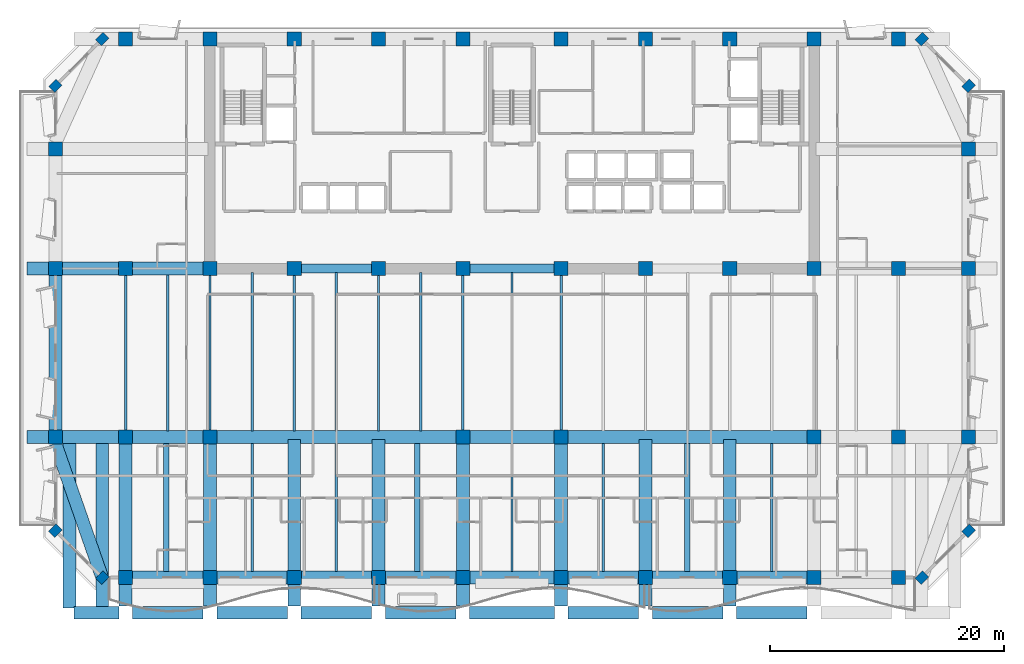
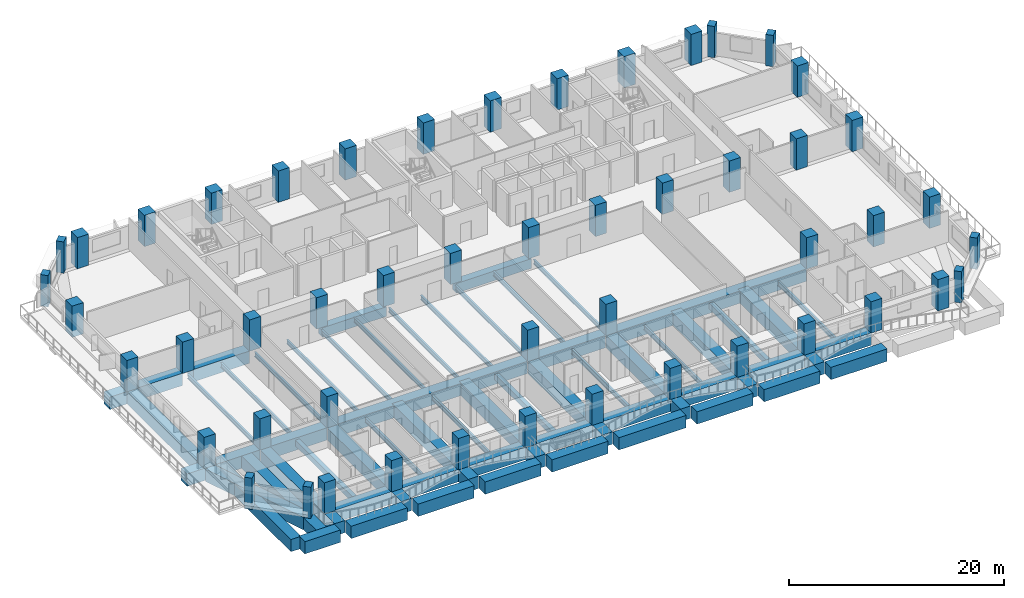
# One storey, part 1 of 16: 57 beams, 50 columns.
"""IFC4 building model written with IfcOpenShell, lengths in metres."""

from ifc_helpers import new_model, si_unit, direction, frame, origin, origin_2d, place, context, subcontext, project, spatial, rectangle, i_section, extrude, material, material_profile, profile_set, type_object, element, save


model = new_model("IFC4")

# Units and contexts
model_context = context("Model", 3, precision=1e-05, world=origin(), true_north=direction((0.0, 1.0)))
body_context = subcontext(model_context, "Body", "Model", "MODEL_VIEW")
ifc_project = project(units=[si_unit("LENGTHUNIT", "METRE"), si_unit("AREAUNIT", "SQUARE_METRE"), si_unit("VOLUMEUNIT", "CUBIC_METRE"), si_unit("PLANEANGLEUNIT", "RADIAN"), si_unit("MASSUNIT", "GRAM", prefix="KILO")], contexts=[model_context])

# Site, building, storey
site_placement = place(None, origin())
site = spatial("IfcSite", under=ifc_project, at=site_placement, CompositionType="ELEMENT")
building_placement = place(site_placement, origin())
building = spatial("IfcBuilding", under=site, at=building_placement, Name="Kaelvorn Grand Hotel", CompositionType="ELEMENT")
storey_placement = place(building_placement, frame((0.0, 0.0, 135.35009765625)))
storey = spatial("IfcBuildingStorey", under=building, at=storey_placement, Name="L32", CompositionType="ELEMENT", Elevation=135.35009765625)

# Columns
ifc_material_1 = material(Name="Concrete C60/75", Category="concrete")
ifc_material_profile_1 = material_profile(ifc_material_1, rectangle(XDim=0.89990234375, YDim=0.75, at=origin_2d()), Name="RC PILASTER 900x750")
ifc_profile_set_1 = profile_set([ifc_material_profile_1], Name="Concrete C60/75")
column_type_1 = type_object("IfcColumnType", Name="COL-PIL-900x750-C60", PredefinedType="PILASTER", material=ifc_profile_set_1)
for number, where, z_axis, x_axis, name in (
    (1, (7.0, 3.0, 0.0), (0.0, 0.0, 1.0), (0.707106781187, 0.707106781187, 0.0), "L32 Structural Column CH-01"),
    (2, (77.0, 3.0, 0.0), (0.0, 0.0, 1.0), (0.707106781187, 0.707106781187, 0.0), "L32 Structural Column CH-02"),
    (3, (81.0, 7.0, 0.0), (0.0, 0.0, 1.0), (0.707106781187, 0.707106781187, 0.0), "L32 Structural Column CH-03"),
    (4, (81.0, 45.0, 0.0), (0.0, 0.0, 1.0), (0.707106781187, 0.707106781187, 0.0), "L32 Structural Column CH-04"),
    (5, (77.0, 49.0, 0.0), (0.0, 0.0, 1.0), (0.707106781187, 0.707106781187, 0.0), "L32 Structural Column CH-05"),
    (6, (7.0, 49.0, 0.0), (0.0, 0.0, 1.0), (0.707106781187, 0.707106781187, 0.0), "L32 Structural Column CH-06"),
    (7, (3.0, 45.0, 0.0), (0.0, 0.0, 1.0), (0.707106781187, 0.707106781187, 0.0), "L32 Structural Column CH-07"),
    (8, (3.0, 7.0, 0.0), (0.0, 0.0, 1.0), (0.707106781187, 0.707106781187, 0.0), "L32 Structural Column CH-08"),
):
    element("IfcColumn", number, at=place(storey_placement, frame(where, z_axis=z_axis, x_axis=x_axis)), inside=storey, type_object=column_type_1, Name=name, PredefinedType="PILASTER", context=body_context, shape_type="SweptSolid", body=[
        extrude(rectangle(XDim=0.89990234375, YDim=0.75, at=origin_2d()), origin(), (0.0, 0.0, 1.0), 3.559814453125),
    ])
ifc_material_profile_2 = material_profile(ifc_material_1, rectangle(XDim=1.199951171875, YDim=1.199951171875, at=origin_2d()), Name="RC COL 1200x1200")
ifc_profile_set_2 = profile_set([ifc_material_profile_2], Name="Concrete C60/75")
column_type_2 = type_object("IfcColumnType", Name="COL-RC-1200-C60", PredefinedType="COLUMN", material=ifc_profile_set_2)
for number, where, z_axis, x_axis, name in (
    (9, (9.0, 3.0, 0.0), (0.0, 0.0, 1.0), (1.0, 0.0, 0.0), "L32 Structural Column S-01"),
    (10, (16.199951171875, 3.0, 0.0), (0.0, 0.0, 1.0), (1.0, 0.0, 0.0), "L32 Structural Column S-02"),
    (11, (23.39990234375, 3.0, 0.0), (0.0, 0.0, 1.0), (1.0, 0.0, 0.0), "L32 Structural Column S-03"),
    (12, (30.60009765625, 3.0, 0.0), (0.0, 0.0, 1.0), (1.0, 0.0, 0.0), "L32 Structural Column S-04"),
    (13, (37.800048828125, 3.0, 0.0), (0.0, 0.0, 1.0), (1.0, 0.0, 0.0), "L32 Structural Column S-05"),
    (14, (46.199951171875, 3.0, 0.0), (0.0, 0.0, 1.0), (1.0, 0.0, 0.0), "L32 Structural Column S-06"),
    (15, (53.39990234375, 3.0, 0.0), (0.0, 0.0, 1.0), (1.0, 0.0, 0.0), "L32 Structural Column S-07"),
    (16, (60.60009765625, 3.0, 0.0), (0.0, 0.0, 1.0), (1.0, 0.0, 0.0), "L32 Structural Column S-08"),
    (17, (67.800048828125, 3.0, 0.0), (0.0, 0.0, 1.0), (1.0, 0.0, 0.0), "L32 Structural Column S-09"),
    (18, (75.0, 3.0, 0.0), (0.0, 0.0, 1.0), (1.0, 0.0, 0.0), "L32 Structural Column S-10"),
    (19, (3.0, 15.0, 0.0), (0.0, 0.0, 1.0), (1.0, 0.0, 0.0), "L32 Structural Column W-01"),
    (20, (81.0, 15.0, 0.0), (0.0, 0.0, 1.0), (1.0, 0.0, 0.0), "L32 Structural Column E-01"),
    (21, (3.0, 29.39990234375, 0.0), (0.0, 0.0, 1.0), (1.0, 0.0, 0.0), "L32 Structural Column W-02"),
    (22, (81.0, 29.39990234375, 0.0), (0.0, 0.0, 1.0), (1.0, 0.0, 0.0), "L32 Structural Column E-02"),
    (23, (3.0, 39.60009765625, 0.0), (0.0, 0.0, 1.0), (1.0, 0.0, 0.0), "L32 Structural Column W-03"),
    (24, (81.0, 39.60009765625, 0.0), (0.0, 0.0, 1.0), (1.0, 0.0, 0.0), "L32 Structural Column E-03"),
    (25, (9.0, 15.0, 0.0), (0.0, 0.0, 1.0), (1.0, 0.0, 0.0), "L32 Structural Column M-01"),
    (26, (16.199951171875, 15.0, 0.0), (0.0, 0.0, 1.0), (1.0, 0.0, 0.0), "L32 Structural Column M-02"),
    (27, (37.800048828125, 15.0, 0.0), (0.0, 0.0, 1.0), (1.0, 0.0, 0.0), "L32 Structural Column M-03"),
    (28, (46.199951171875, 15.0, 0.0), (0.0, 0.0, 1.0), (1.0, 0.0, 0.0), "L32 Structural Column M-04"),
    (29, (67.800048828125, 15.0, 0.0), (0.0, 0.0, 1.0), (1.0, 0.0, 0.0), "L32 Structural Column M-05"),
    (30, (75.0, 15.0, 0.0), (0.0, 0.0, 1.0), (1.0, 0.0, 0.0), "L32 Structural Column M-06"),
    (31, (9.0, 29.39990234375, 0.0), (0.0, 0.0, 1.0), (1.0, 0.0, 0.0), "L32 Structural Column CR1-01"),
    (32, (9.0, 49.0, 0.0), (0.0, 0.0, 1.0), (1.0, 0.0, 0.0), "L32 Structural Column CR2-01"),
    (33, (16.199951171875, 29.39990234375, 0.0), (0.0, 0.0, 1.0), (1.0, 0.0, 0.0), "L32 Structural Column CR1-02"),
    (34, (16.199951171875, 49.0, 0.0), (0.0, 0.0, 1.0), (1.0, 0.0, 0.0), "L32 Structural Column CR2-02"),
    (35, (23.39990234375, 29.39990234375, 0.0), (0.0, 0.0, 1.0), (1.0, 0.0, 0.0), "L32 Structural Column CR1-03"),
    (36, (23.39990234375, 49.0, 0.0), (0.0, 0.0, 1.0), (1.0, 0.0, 0.0), "L32 Structural Column CR2-03"),
    (37, (30.60009765625, 29.39990234375, 0.0), (0.0, 0.0, 1.0), (1.0, 0.0, 0.0), "L32 Structural Column CR1-04"),
    (38, (30.60009765625, 49.0, 0.0), (0.0, 0.0, 1.0), (1.0, 0.0, 0.0), "L32 Structural Column CR2-04"),
    (39, (37.800048828125, 29.39990234375, 0.0), (0.0, 0.0, 1.0), (1.0, 0.0, 0.0), "L32 Structural Column CR1-05"),
    (40, (37.800048828125, 49.0, 0.0), (0.0, 0.0, 1.0), (1.0, 0.0, 0.0), "L32 Structural Column CR2-05"),
    (41, (46.199951171875, 29.39990234375, 0.0), (0.0, 0.0, 1.0), (1.0, 0.0, 0.0), "L32 Structural Column CR1-06"),
    (42, (46.199951171875, 49.0, 0.0), (0.0, 0.0, 1.0), (1.0, 0.0, 0.0), "L32 Structural Column CR2-06"),
    (43, (53.39990234375, 29.39990234375, 0.0), (0.0, 0.0, 1.0), (1.0, 0.0, 0.0), "L32 Structural Column CR1-07"),
    (44, (53.39990234375, 49.0, 0.0), (0.0, 0.0, 1.0), (1.0, 0.0, 0.0), "L32 Structural Column CR2-07"),
    (45, (60.60009765625, 29.39990234375, 0.0), (0.0, 0.0, 1.0), (1.0, 0.0, 0.0), "L32 Structural Column CR1-08"),
    (46, (60.60009765625, 49.0, 0.0), (0.0, 0.0, 1.0), (1.0, 0.0, 0.0), "L32 Structural Column CR2-08"),
    (47, (67.800048828125, 29.39990234375, 0.0), (0.0, 0.0, 1.0), (1.0, 0.0, 0.0), "L32 Structural Column CR1-09"),
    (48, (67.800048828125, 49.0, 0.0), (0.0, 0.0, 1.0), (1.0, 0.0, 0.0), "L32 Structural Column CR2-09"),
    (49, (75.0, 29.39990234375, 0.0), (0.0, 0.0, 1.0), (1.0, 0.0, 0.0), "L32 Structural Column CR1-10"),
    (50, (75.0, 49.0, 0.0), (0.0, 0.0, 1.0), (1.0, 0.0, 0.0), "L32 Structural Column CR2-10"),
):
    element("IfcColumn", number, at=place(storey_placement, frame(where, z_axis=z_axis, x_axis=x_axis)), inside=storey, type_object=column_type_2, Name=name, PredefinedType="COLUMN", context=body_context, shape_type="SweptSolid", body=[
        extrude(rectangle(XDim=1.199951171875, YDim=1.199951171875, at=origin_2d()), origin(), (0.0, 0.0, 1.0), 3.559814453125),
    ])

# Beams
ifc_material_2 = material(Name="Steel S355", Category="steel")
ifc_material_profile_3 = material_profile(ifc_material_2, i_section(OverallWidth=0.199951171875, OverallDepth=0.5, WebThickness=0.01025390625, FlangeThickness=0.01611328125, FilletRadius=0.02099609375, at=origin_2d()), Name="IPE 500")
ifc_profile_set_3 = profile_set([ifc_material_profile_3], Name="Steel S355")
beam_type_1 = type_object("IfcBeamType", Name="BM-J-IPE500-S355", PredefinedType="JOIST", material=ifc_profile_set_3)
beam_1_placement = place(storey_placement, frame((9.0, 15.5849609375, -0.489990234375), z_axis=(0.0, 1.0, 0.0), x_axis=(-1.0, 0.0, 0.0)))
element("IfcBeam", 51, at=beam_1_placement, inside=storey, type_object=beam_type_1, Name="L32 Composite Floor Joist JM-03", PredefinedType="JOIST", context=body_context, shape_type="SweptSolid", body=[
    extrude(i_section(OverallWidth=0.199951171875, OverallDepth=0.5, WebThickness=0.01025390625, FlangeThickness=0.01611328125, FilletRadius=0.02099609375, at=origin_2d()), origin(), (0.0, 0.0, 1.0), 13.22998046875),
])
beam_2_placement = place(storey_placement, frame((12.60009765625, 15.534912109375, -0.489990234375), z_axis=(0.0, 1.0, 0.0), x_axis=(-1.0, 0.0, 0.0)))
element("IfcBeam", 52, at=beam_2_placement, inside=storey, type_object=beam_type_1, Name="L32 Composite Floor Joist JM-04", PredefinedType="JOIST", context=body_context, shape_type="SweptSolid", body=[
    extrude(i_section(OverallWidth=0.199951171875, OverallDepth=0.5, WebThickness=0.01025390625, FlangeThickness=0.01611328125, FilletRadius=0.02099609375, at=origin_2d()), origin(), (0.0, 0.0, 1.0), 13.330078125),
])
beam_3_placement = place(storey_placement, frame((16.199951171875, 15.5849609375, -0.489990234375), z_axis=(0.0, 1.0, 0.0), x_axis=(-1.0, 0.0, 0.0)))
element("IfcBeam", 53, at=beam_3_placement, inside=storey, type_object=beam_type_1, Name="L32 Composite Floor Joist JM-05", PredefinedType="JOIST", context=body_context, shape_type="SweptSolid", body=[
    extrude(i_section(OverallWidth=0.199951171875, OverallDepth=0.5, WebThickness=0.01025390625, FlangeThickness=0.01611328125, FilletRadius=0.02099609375, at=origin_2d()), origin(), (0.0, 0.0, 1.0), 13.22998046875),
])
beam_4_placement = place(storey_placement, frame((19.800048828125, 15.534912109375, -0.489990234375), z_axis=(0.0, 1.0, 0.0), x_axis=(-1.0, 0.0, 0.0)))
element("IfcBeam", 54, at=beam_4_placement, inside=storey, type_object=beam_type_1, Name="L32 Composite Floor Joist JM-06", PredefinedType="JOIST", context=body_context, shape_type="SweptSolid", body=[
    extrude(i_section(OverallWidth=0.199951171875, OverallDepth=0.5, WebThickness=0.01025390625, FlangeThickness=0.01611328125, FilletRadius=0.02099609375, at=origin_2d()), origin(), (0.0, 0.0, 1.0), 13.525146484375),
])
beam_5_placement = place(storey_placement, frame((23.39990234375, 15.534912109375, -0.489990234375), z_axis=(0.0, 1.0, 0.0), x_axis=(-1.0, 0.0, 0.0)))
element("IfcBeam", 55, at=beam_5_placement, inside=storey, type_object=beam_type_1, Name="L32 Composite Floor Joist JM-07", PredefinedType="JOIST", context=body_context, shape_type="SweptSolid", body=[
    extrude(i_section(OverallWidth=0.199951171875, OverallDepth=0.5, WebThickness=0.01025390625, FlangeThickness=0.01611328125, FilletRadius=0.02099609375, at=origin_2d()), origin(), (0.0, 0.0, 1.0), 13.280029296875),
])
beam_6_placement = place(storey_placement, frame((27.0, 15.534912109375, -0.489990234375), z_axis=(0.0, 1.0, 0.0), x_axis=(-1.0, 0.0, 0.0)))
element("IfcBeam", 56, at=beam_6_placement, inside=storey, type_object=beam_type_1, Name="L32 Composite Floor Joist JM-08", PredefinedType="JOIST", context=body_context, shape_type="SweptSolid", body=[
    extrude(i_section(OverallWidth=0.199951171875, OverallDepth=0.5, WebThickness=0.01025390625, FlangeThickness=0.01611328125, FilletRadius=0.02099609375, at=origin_2d()), origin(), (0.0, 0.0, 1.0), 13.525146484375),
])
beam_7_placement = place(storey_placement, frame((30.60009765625, 15.534912109375, -0.489990234375), z_axis=(0.0, 1.0, 0.0), x_axis=(-1.0, 0.0, 0.0)))
element("IfcBeam", 57, at=beam_7_placement, inside=storey, type_object=beam_type_1, Name="L32 Composite Floor Joist JM-09", PredefinedType="JOIST", context=body_context, shape_type="SweptSolid", body=[
    extrude(i_section(OverallWidth=0.199951171875, OverallDepth=0.5, WebThickness=0.01025390625, FlangeThickness=0.01611328125, FilletRadius=0.02099609375, at=origin_2d()), origin(), (0.0, 0.0, 1.0), 13.280029296875),
])
beam_8_placement = place(storey_placement, frame((34.199951171875, 15.534912109375, -0.489990234375), z_axis=(0.0, 1.0, 0.0), x_axis=(-1.0, 0.0, 0.0)))
element("IfcBeam", 58, at=beam_8_placement, inside=storey, type_object=beam_type_1, Name="L32 Composite Floor Joist JM-10", PredefinedType="JOIST", context=body_context, shape_type="SweptSolid", body=[
    extrude(i_section(OverallWidth=0.199951171875, OverallDepth=0.5, WebThickness=0.01025390625, FlangeThickness=0.01611328125, FilletRadius=0.02099609375, at=origin_2d()), origin(), (0.0, 0.0, 1.0), 13.525146484375),
])
beam_9_placement = place(storey_placement, frame((37.800048828125, 15.5849609375, -0.489990234375), z_axis=(0.0, 1.0, 0.0), x_axis=(-1.0, 0.0, 0.0)))
element("IfcBeam", 59, at=beam_9_placement, inside=storey, type_object=beam_type_1, Name="L32 Composite Floor Joist JM-11", PredefinedType="JOIST", context=body_context, shape_type="SweptSolid", body=[
    extrude(i_section(OverallWidth=0.199951171875, OverallDepth=0.5, WebThickness=0.01025390625, FlangeThickness=0.01611328125, FilletRadius=0.02099609375, at=origin_2d()), origin(), (0.0, 0.0, 1.0), 13.22998046875),
])
beam_10_placement = place(storey_placement, frame((42.0, 15.534912109375, -0.489990234375), z_axis=(0.0, 1.0, 0.0), x_axis=(-1.0, 0.0, 0.0)))
element("IfcBeam", 60, at=beam_10_placement, inside=storey, type_object=beam_type_1, Name="L32 Composite Floor Joist JM-12", PredefinedType="JOIST", context=body_context, shape_type="SweptSolid", body=[
    extrude(i_section(OverallWidth=0.199951171875, OverallDepth=0.5, WebThickness=0.01025390625, FlangeThickness=0.01611328125, FilletRadius=0.02099609375, at=origin_2d()), origin(), (0.0, 0.0, 1.0), 13.525146484375),
])
beam_11_placement = place(storey_placement, frame((46.199951171875, 15.5849609375, -0.489990234375), z_axis=(0.0, 1.0, 0.0), x_axis=(-1.0, 0.0, 0.0)))
element("IfcBeam", 61, at=beam_11_placement, inside=storey, type_object=beam_type_1, Name="L32 Composite Floor Joist JM-13", PredefinedType="JOIST", context=body_context, shape_type="SweptSolid", body=[
    extrude(i_section(OverallWidth=0.199951171875, OverallDepth=0.5, WebThickness=0.01025390625, FlangeThickness=0.01611328125, FilletRadius=0.02099609375, at=origin_2d()), origin(), (0.0, 0.0, 1.0), 13.22998046875),
])
ifc_material_profile_4 = material_profile(ifc_material_2, i_section(OverallWidth=0.2099609375, OverallDepth=0.550048828125, WebThickness=0.010986328125, FlangeThickness=0.01708984375, FilletRadius=0.02392578125, at=origin_2d()), Name="IPE 550")
ifc_profile_set_4 = profile_set([ifc_material_profile_4], Name="Steel S355")
beam_type_2 = type_object("IfcBeamType", Name="BM-J-IPE550-S355", PredefinedType="JOIST", material=ifc_profile_set_4)
for number, where, z_axis, x_axis, name in (
    (62, (19.800048828125, 3.534912109375, -0.51513671875), (0.0, 1.0, 0.0), (-1.0, 0.0, 0.0), "L32 Composite Floor Joist JS-06"),
    (63, (27.0, 3.534912109375, -0.51513671875), (0.0, 1.0, 0.0), (-1.0, 0.0, 0.0), "L32 Composite Floor Joist JS-08"),
    (64, (42.0, 3.534912109375, -0.51513671875), (0.0, 1.0, 0.0), (-1.0, 0.0, 0.0), "L32 Composite Floor Joist JS-12"),
    (65, (49.800048828125, 3.534912109375, -0.51513671875), (0.0, 1.0, 0.0), (-1.0, 0.0, 0.0), "L32 Composite Floor Joist JS-14"),
    (66, (64.199951171875, 3.534912109375, -0.51513671875), (0.0, 1.0, 0.0), (-1.0, 0.0, 0.0), "L32 Composite Floor Joist JS-18"),
):
    element("IfcBeam", number, at=place(storey_placement, frame(where, z_axis=z_axis, x_axis=x_axis)), inside=storey, type_object=beam_type_2, Name=name, PredefinedType="JOIST", context=body_context, shape_type="SweptSolid", body=[
        extrude(i_section(OverallWidth=0.2099609375, OverallDepth=0.550048828125, WebThickness=0.010986328125, FlangeThickness=0.01708984375, FilletRadius=0.02392578125, at=origin_2d()), origin(), (0.0, 0.0, 1.0), 10.93017578125),
    ])
ifc_material_profile_5 = material_profile(ifc_material_1, rectangle(XDim=0.800048828125, YDim=1.10009765625, at=origin_2d()), Name="RC LINTEL 800x1100")
ifc_profile_set_5 = profile_set([ifc_material_profile_5], Name="Concrete C60/75")
beam_type_3 = type_object("IfcBeamType", Name="BM-LIN-800x1100-C60", PredefinedType="LINTEL", material=ifc_profile_set_5)
beam_12_placement = place(storey_placement, frame((23.580078125, 29.39990234375, -0.7900390625), z_axis=(1.0, 0.0, 0.0), x_axis=(0.0, 1.0, 0.0)))
element("IfcBeam", 67, at=beam_12_placement, inside=storey, type_object=beam_type_3, Name="L32 Rear-Core Coupling Lintel Beam CB1-01", PredefinedType="LINTEL", context=body_context, shape_type="SweptSolid", body=[
    extrude(rectangle(XDim=0.800048828125, YDim=1.10009765625, at=origin_2d()), origin(), (0.0, 0.0, 1.0), 6.83984375),
])
beam_13_placement = place(storey_placement, frame((37.97998046875, 29.39990234375, -0.7900390625), z_axis=(1.0, 0.0, 0.0), x_axis=(0.0, 1.0, 0.0)))
element("IfcBeam", 68, at=beam_13_placement, inside=storey, type_object=beam_type_3, Name="L32 Rear-Core Coupling Lintel Beam CB1-02", PredefinedType="LINTEL", context=body_context, shape_type="SweptSolid", body=[
    extrude(rectangle(XDim=0.800048828125, YDim=1.10009765625, at=origin_2d()), origin(), (0.0, 0.0, 1.0), 8.0400390625),
])
ifc_material_3 = material(Name="Concrete C40/50", Category="concrete")
ifc_material_profile_6 = material_profile(ifc_material_3, rectangle(XDim=0.449951171875, YDim=0.64990234375, at=origin_2d()), Name="RC RIB 450x650")
ifc_profile_set_6 = profile_set([ifc_material_profile_6], Name="Concrete C40/50")
beam_type_4 = type_object("IfcBeamType", Name="BM-RIB-450x650-C40", PredefinedType="SPANDREL", material=ifc_profile_set_6)
for number, where, z_axis, x_axis, name in (
    (69, (12.45703125, 3.534912109375, -0.545166015625), (0.0, 1.0, 0.0), (-1.0, 0.0, 0.0), "L32 Cantilevered Balcony Back-Span Rib RB1-1"),
    (70, (33.90478515625, 3.534912109375, -0.545166015625), (0.0, 1.0, 0.0), (-1.0, 0.0, 0.0), "L32 Cantilevered Balcony Back-Span Rib RB1-2"),
    (71, (56.971435546875, 3.534912109375, -0.545166015625), (0.0, 1.0, 0.0), (-1.0, 0.0, 0.0), "L32 Cantilevered Balcony Back-Span Rib RB1-3"),
):
    element("IfcBeam", number, at=place(storey_placement, frame(where, z_axis=z_axis, x_axis=x_axis)), inside=storey, type_object=beam_type_4, Name=name, PredefinedType="SPANDREL", context=body_context, shape_type="SweptSolid", body=[
        extrude(rectangle(XDim=0.449951171875, YDim=0.64990234375, at=origin_2d()), origin(), (0.0, 0.0, 1.0), 10.925048828125),
    ])
ifc_material_profile_7 = material_profile(ifc_material_1, rectangle(XDim=1.10009765625, YDim=1.39990234375, at=origin_2d()), Name="RC TG 1100x1400")
ifc_profile_set_7 = profile_set([ifc_material_profile_7], Name="Concrete C60/75")
beam_type_5 = type_object("IfcBeamType", Name="BM-TG-1100x1400-C60", PredefinedType="USERDEFINED", material=ifc_profile_set_7)
beam_14_placement = place(storey_placement, frame((0.5849609375, 15.0, -0.7001953125), z_axis=(1.0, 0.0, 0.0), x_axis=(0.0, 1.0, 0.0)))
element("IfcBeam", 72, at=beam_14_placement, inside=storey, type_object=beam_type_5, Name="L32 Setback Spine Transfer Girder TG2-M15 01", ObjectType="TRANSFER GIRDER", PredefinedType="USERDEFINED", context=body_context, shape_type="SweptSolid", body=[
    extrude(rectangle(XDim=1.10009765625, YDim=1.39990234375, at=origin_2d()), origin(), (0.0, 0.0, 1.0), 7.830078125),
])
beam_15_placement = place(storey_placement, frame((9.5849609375, 15.0, -0.7001953125), z_axis=(1.0, 0.0, 0.0), x_axis=(0.0, 1.0, 0.0)))
element("IfcBeam", 73, at=beam_15_placement, inside=storey, type_object=beam_type_5, Name="L32 Setback Spine Transfer Girder TG2-M15 02", ObjectType="TRANSFER GIRDER", PredefinedType="USERDEFINED", context=body_context, shape_type="SweptSolid", body=[
    extrude(rectangle(XDim=1.10009765625, YDim=1.39990234375, at=origin_2d()), origin(), (0.0, 0.0, 1.0), 6.030029296875),
])
beam_16_placement = place(storey_placement, frame((16.784912109375, 15.0, -0.7001953125), z_axis=(1.0, 0.0, 0.0), x_axis=(0.0, 1.0, 0.0)))
element("IfcBeam", 74, at=beam_16_placement, inside=storey, type_object=beam_type_5, Name="L32 Setback Spine Transfer Girder TG2-M15 03", ObjectType="TRANSFER GIRDER", PredefinedType="USERDEFINED", context=body_context, shape_type="SweptSolid", body=[
    extrude(rectangle(XDim=1.10009765625, YDim=1.39990234375, at=origin_2d()), origin(), (0.0, 0.0, 1.0), 20.43017578125),
])
beam_17_placement = place(storey_placement, frame((38.385009765625, 15.0, -0.7001953125), z_axis=(1.0, 0.0, 0.0), x_axis=(0.0, 1.0, 0.0)))
element("IfcBeam", 75, at=beam_17_placement, inside=storey, type_object=beam_type_5, Name="L32 Setback Spine Transfer Girder TG2-M15 04", ObjectType="TRANSFER GIRDER", PredefinedType="USERDEFINED", context=body_context, shape_type="SweptSolid", body=[
    extrude(rectangle(XDim=1.10009765625, YDim=1.39990234375, at=origin_2d()), origin(), (0.0, 0.0, 1.0), 7.22998046875),
])
beam_18_placement = place(storey_placement, frame((46.784912109375, 15.0, -0.7001953125), z_axis=(1.0, 0.0, 0.0), x_axis=(0.0, 1.0, 0.0)))
element("IfcBeam", 76, at=beam_18_placement, inside=storey, type_object=beam_type_5, Name="L32 Setback Spine Transfer Girder TG2-M15 05", ObjectType="TRANSFER GIRDER", PredefinedType="USERDEFINED", context=body_context, shape_type="SweptSolid", body=[
    extrude(rectangle(XDim=1.10009765625, YDim=1.39990234375, at=origin_2d()), origin(), (0.0, 0.0, 1.0), 20.43017578125),
])
beam_19_placement = place(storey_placement, frame((4.199951171875, 0.405029296875, -0.7001953125), z_axis=(0.0, 1.0, 0.0), x_axis=(-1.0, 0.0, 0.0)))
element("IfcBeam", 77, at=beam_19_placement, inside=storey, type_object=beam_type_5, Name="L32 Setback Radial Transfer Girder TG2-S01 01", ObjectType="TRANSFER GIRDER", PredefinedType="USERDEFINED", context=body_context, shape_type="SweptSolid", body=[
    extrude(rectangle(XDim=1.10009765625, YDim=1.39990234375, at=origin_2d()), origin(), (0.0, 0.0, 1.0), 14.409912109375),
])
for number, where, z_axis, x_axis, name in (
    (78, (9.0, 0.5849609375, -0.7001953125), (0.0, 1.0, 0.0), (-1.0, 0.0, 0.0), "L32 Setback Radial Transfer Girder TG2-S02 01"),
    (79, (16.199951171875, 0.5849609375, -0.7001953125), (0.0, 1.0, 0.0), (-1.0, 0.0, 0.0), "L32 Setback Radial Transfer Girder TG2-S03 01"),
):
    element("IfcBeam", number, at=place(storey_placement, frame(where, z_axis=z_axis, x_axis=x_axis)), inside=storey, type_object=beam_type_5, Name=name, ObjectType="TRANSFER GIRDER", PredefinedType="USERDEFINED", context=body_context, shape_type="SweptSolid", body=[
        extrude(rectangle(XDim=1.10009765625, YDim=1.39990234375, at=origin_2d()), origin(), (0.0, 0.0, 1.0), 13.830078125),
    ])
for number, where, z_axis, x_axis, name in (
    (80, (23.39990234375, 0.5849609375, -0.7001953125), (0.0, 1.0, 0.0), (-1.0, 0.0, 0.0), "L32 Setback Radial Transfer Girder TG2-S04 01"),
    (81, (30.60009765625, 0.5849609375, -0.7001953125), (0.0, 1.0, 0.0), (-1.0, 0.0, 0.0), "L32 Setback Radial Transfer Girder TG2-S05 01"),
):
    element("IfcBeam", number, at=place(storey_placement, frame(where, z_axis=z_axis, x_axis=x_axis)), inside=storey, type_object=beam_type_5, Name=name, ObjectType="TRANSFER GIRDER", PredefinedType="USERDEFINED", context=body_context, shape_type="SweptSolid", body=[
        extrude(rectangle(XDim=1.10009765625, YDim=1.39990234375, at=origin_2d()), origin(), (0.0, 0.0, 1.0), 14.22998046875),
    ])
for number, where, z_axis, x_axis, name in (
    (82, (37.800048828125, 0.5849609375, -0.7001953125), (0.0, 1.0, 0.0), (-1.0, 0.0, 0.0), "L32 Setback Radial Transfer Girder TG2-S06 01"),
    (83, (46.199951171875, 0.5849609375, -0.7001953125), (0.0, 1.0, 0.0), (-1.0, 0.0, 0.0), "L32 Setback Radial Transfer Girder TG2-S07 01"),
):
    element("IfcBeam", number, at=place(storey_placement, frame(where, z_axis=z_axis, x_axis=x_axis)), inside=storey, type_object=beam_type_5, Name=name, ObjectType="TRANSFER GIRDER", PredefinedType="USERDEFINED", context=body_context, shape_type="SweptSolid", body=[
        extrude(rectangle(XDim=1.10009765625, YDim=1.39990234375, at=origin_2d()), origin(), (0.0, 0.0, 1.0), 13.830078125),
    ])
for number, where, z_axis, x_axis, name in (
    (84, (53.39990234375, 0.5849609375, -0.7001953125), (0.0, 1.0, 0.0), (-1.0, 0.0, 0.0), "L32 Setback Radial Transfer Girder TG2-S08 01"),
    (85, (60.60009765625, 0.5849609375, -0.7001953125), (0.0, 1.0, 0.0), (-1.0, 0.0, 0.0), "L32 Setback Radial Transfer Girder TG2-S09 01"),
):
    element("IfcBeam", number, at=place(storey_placement, frame(where, z_axis=z_axis, x_axis=x_axis)), inside=storey, type_object=beam_type_5, Name=name, ObjectType="TRANSFER GIRDER", PredefinedType="USERDEFINED", context=body_context, shape_type="SweptSolid", body=[
        extrude(rectangle(XDim=1.10009765625, YDim=1.39990234375, at=origin_2d()), origin(), (0.0, 0.0, 1.0), 14.22998046875),
    ])
beam_20_placement = place(storey_placement, frame((0.5849609375, 29.39990234375, -0.7001953125), z_axis=(1.0, 0.0, 0.0), x_axis=(0.0, 1.0, 0.0)))
element("IfcBeam", 86, at=beam_20_placement, inside=storey, type_object=beam_type_5, Name="L32 Setback Radial Transfer Girder TG2-W01 01", ObjectType="TRANSFER GIRDER", PredefinedType="USERDEFINED", context=body_context, shape_type="SweptSolid", body=[
    extrude(rectangle(XDim=1.10009765625, YDim=1.39990234375, at=origin_2d()), origin(), (0.0, 0.0, 1.0), 7.830078125),
])
beam_21_placement = place(storey_placement, frame((9.5849609375, 29.39990234375, -0.7001953125), z_axis=(1.0, 0.0, 0.0), x_axis=(0.0, 1.0, 0.0)))
element("IfcBeam", 87, at=beam_21_placement, inside=storey, type_object=beam_type_5, Name="L32 Setback Radial Transfer Girder TG2-W01 02", ObjectType="TRANSFER GIRDER", PredefinedType="USERDEFINED", context=body_context, shape_type="SweptSolid", body=[
    extrude(rectangle(XDim=1.10009765625, YDim=1.39990234375, at=origin_2d()), origin(), (0.0, 0.0, 1.0), 6.030029296875),
])
beam_22_placement = place(storey_placement, frame((4.60498046875, 0.0, -0.7001953125), z_axis=(1.0, 0.0, 0.0), x_axis=(0.0, 1.0, 0.0)))
element("IfcBeam", 88, at=beam_22_placement, inside=storey, type_object=beam_type_5, Name="L32 Setback Outer South Transfer Girder 01", ObjectType="TRANSFER GIRDER", PredefinedType="USERDEFINED", context=body_context, shape_type="SweptSolid", body=[
    extrude(rectangle(XDim=1.10009765625, YDim=1.39990234375, at=origin_2d()), origin(), (0.0, 0.0, 1.0), 3.81005859375),
])
for number, where, z_axis, x_axis, name in (
    (89, (9.5849609375, 0.0, -0.7001953125), (1.0, 0.0, 0.0), (0.0, 1.0, 0.0), "L32 Setback Outer South Transfer Girder 02"),
    (90, (16.784912109375, 0.0, -0.7001953125), (1.0, 0.0, 0.0), (0.0, 1.0, 0.0), "L32 Setback Outer South Transfer Girder 03"),
):
    element("IfcBeam", number, at=place(storey_placement, frame(where, z_axis=z_axis, x_axis=x_axis)), inside=storey, type_object=beam_type_5, Name=name, ObjectType="TRANSFER GIRDER", PredefinedType="USERDEFINED", context=body_context, shape_type="SweptSolid", body=[
        extrude(rectangle(XDim=1.10009765625, YDim=1.39990234375, at=origin_2d()), origin(), (0.0, 0.0, 1.0), 6.030029296875),
    ])
beam_23_placement = place(storey_placement, frame((23.985107421875, 0.0, -0.7001953125), z_axis=(1.0, 0.0, 0.0), x_axis=(0.0, 1.0, 0.0)))
element("IfcBeam", 91, at=beam_23_placement, inside=storey, type_object=beam_type_5, Name="L32 Setback Outer South Transfer Girder 04", ObjectType="TRANSFER GIRDER", PredefinedType="USERDEFINED", context=body_context, shape_type="SweptSolid", body=[
    extrude(rectangle(XDim=1.10009765625, YDim=1.39990234375, at=origin_2d()), origin(), (0.0, 0.0, 1.0), 6.02978515625),
])
beam_24_placement = place(storey_placement, frame((31.18505859375, 0.0, -0.7001953125), z_axis=(1.0, 0.0, 0.0), x_axis=(0.0, 1.0, 0.0)))
element("IfcBeam", 92, at=beam_24_placement, inside=storey, type_object=beam_type_5, Name="L32 Setback Outer South Transfer Girder 05", ObjectType="TRANSFER GIRDER", PredefinedType="USERDEFINED", context=body_context, shape_type="SweptSolid", body=[
    extrude(rectangle(XDim=1.10009765625, YDim=1.39990234375, at=origin_2d()), origin(), (0.0, 0.0, 1.0), 6.030029296875),
])
beam_25_placement = place(storey_placement, frame((38.385009765625, 0.0, -0.7001953125), z_axis=(1.0, 0.0, 0.0), x_axis=(0.0, 1.0, 0.0)))
element("IfcBeam", 93, at=beam_25_placement, inside=storey, type_object=beam_type_5, Name="L32 Setback Outer South Transfer Girder 06", ObjectType="TRANSFER GIRDER", PredefinedType="USERDEFINED", context=body_context, shape_type="SweptSolid", body=[
    extrude(rectangle(XDim=1.10009765625, YDim=1.39990234375, at=origin_2d()), origin(), (0.0, 0.0, 1.0), 7.22998046875),
])
beam_26_placement = place(storey_placement, frame((46.784912109375, 0.0, -0.7001953125), z_axis=(1.0, 0.0, 0.0), x_axis=(0.0, 1.0, 0.0)))
element("IfcBeam", 94, at=beam_26_placement, inside=storey, type_object=beam_type_5, Name="L32 Setback Outer South Transfer Girder 07", ObjectType="TRANSFER GIRDER", PredefinedType="USERDEFINED", context=body_context, shape_type="SweptSolid", body=[
    extrude(rectangle(XDim=1.10009765625, YDim=1.39990234375, at=origin_2d()), origin(), (0.0, 0.0, 1.0), 6.030029296875),
])
beam_27_placement = place(storey_placement, frame((53.985107421875, 0.0, -0.7001953125), z_axis=(1.0, 0.0, 0.0), x_axis=(0.0, 1.0, 0.0)))
element("IfcBeam", 95, at=beam_27_placement, inside=storey, type_object=beam_type_5, Name="L32 Setback Outer South Transfer Girder 08", ObjectType="TRANSFER GIRDER", PredefinedType="USERDEFINED", context=body_context, shape_type="SweptSolid", body=[
    extrude(rectangle(XDim=1.10009765625, YDim=1.39990234375, at=origin_2d()), origin(), (0.0, 0.0, 1.0), 6.02978515625),
])
beam_28_placement = place(storey_placement, frame((61.18505859375, 0.0, -0.7001953125), z_axis=(1.0, 0.0, 0.0), x_axis=(0.0, 1.0, 0.0)))
element("IfcBeam", 96, at=beam_28_placement, inside=storey, type_object=beam_type_5, Name="L32 Setback Outer South Transfer Girder 09", ObjectType="TRANSFER GIRDER", PredefinedType="USERDEFINED", context=body_context, shape_type="SweptSolid", body=[
    extrude(rectangle(XDim=1.10009765625, YDim=1.39990234375, at=origin_2d()), origin(), (0.0, 0.0, 1.0), 6.030029296875),
])
beam_29_placement = place(storey_placement, frame((7.0, 0.534912109375, -0.7001953125), z_axis=(0.0, 1.0, 0.0), x_axis=(-1.0, 0.0, 0.0)))
element("IfcBeam", 97, at=beam_29_placement, inside=storey, type_object=beam_type_5, Name="L32 Setback Corner Radial Transfer Girder CHW", ObjectType="TRANSFER GIRDER", PredefinedType="USERDEFINED", context=body_context, shape_type="SweptSolid", body=[
    extrude(rectangle(XDim=1.10009765625, YDim=1.39990234375, at=origin_2d()), origin(), (0.0, 0.0, 1.0), 13.93017578125),
])
beam_30_placement = place(storey_placement, frame((9.52490234375, 3.0, -0.7001953125), z_axis=(1.0, 0.0, 0.0), x_axis=(0.0, 1.0, 0.0)))
element("IfcBeam", 98, at=beam_30_placement, inside=storey, type_object=beam_type_5, Name="L32 Setback South Ring Transfer Girder 02", ObjectType="TRANSFER GIRDER", PredefinedType="USERDEFINED", context=body_context, shape_type="SweptSolid", body=[
    extrude(rectangle(XDim=1.10009765625, YDim=1.39990234375, at=origin_2d()), origin(), (0.0, 0.0, 1.0), 6.150146484375),
])
for number, where, z_axis, x_axis, name in (
    (99, (16.72509765625, 3.0, -0.7001953125), (1.0, 0.0, 0.0), (0.0, 1.0, 0.0), "L32 Setback South Ring Transfer Girder 03"),
    (100, (23.925048828125, 3.0, -0.7001953125), (1.0, 0.0, 0.0), (0.0, 1.0, 0.0), "L32 Setback South Ring Transfer Girder 04"),
    (101, (31.125, 3.0, -0.7001953125), (1.0, 0.0, 0.0), (0.0, 1.0, 0.0), "L32 Setback South Ring Transfer Girder 05"),
):
    element("IfcBeam", number, at=place(storey_placement, frame(where, z_axis=z_axis, x_axis=x_axis)), inside=storey, type_object=beam_type_5, Name=name, ObjectType="TRANSFER GIRDER", PredefinedType="USERDEFINED", context=body_context, shape_type="SweptSolid", body=[
        extrude(rectangle(XDim=1.10009765625, YDim=1.39990234375, at=origin_2d()), origin(), (0.0, 0.0, 1.0), 6.14990234375),
    ])
beam_31_placement = place(storey_placement, frame((38.324951171875, 3.0, -0.7001953125), z_axis=(1.0, 0.0, 0.0), x_axis=(0.0, 1.0, 0.0)))
element("IfcBeam", 102, at=beam_31_placement, inside=storey, type_object=beam_type_5, Name="L32 Setback South Ring Transfer Girder 06", ObjectType="TRANSFER GIRDER", PredefinedType="USERDEFINED", context=body_context, shape_type="SweptSolid", body=[
    extrude(rectangle(XDim=1.10009765625, YDim=1.39990234375, at=origin_2d()), origin(), (0.0, 0.0, 1.0), 7.35009765625),
])
for number, where, z_axis, x_axis, name in (
    (103, (46.72509765625, 3.0, -0.7001953125), (1.0, 0.0, 0.0), (0.0, 1.0, 0.0), "L32 Setback South Ring Transfer Girder 07"),
    (104, (53.925048828125, 3.0, -0.7001953125), (1.0, 0.0, 0.0), (0.0, 1.0, 0.0), "L32 Setback South Ring Transfer Girder 08"),
    (105, (61.125, 3.0, -0.7001953125), (1.0, 0.0, 0.0), (0.0, 1.0, 0.0), "L32 Setback South Ring Transfer Girder 09"),
):
    element("IfcBeam", number, at=place(storey_placement, frame(where, z_axis=z_axis, x_axis=x_axis)), inside=storey, type_object=beam_type_5, Name=name, ObjectType="TRANSFER GIRDER", PredefinedType="USERDEFINED", context=body_context, shape_type="SweptSolid", body=[
        extrude(rectangle(XDim=1.10009765625, YDim=1.39990234375, at=origin_2d()), origin(), (0.0, 0.0, 1.0), 6.14990234375),
    ])
beam_32_placement = place(storey_placement, frame((3.0, 15.52490234375, -0.7001953125), z_axis=(0.0, 1.0, 0.0), x_axis=(-1.0, 0.0, 0.0)))
element("IfcBeam", 106, at=beam_32_placement, inside=storey, type_object=beam_type_5, Name="L32 Setback W Ring Transfer Girder 01", ObjectType="TRANSFER GIRDER", PredefinedType="USERDEFINED", context=body_context, shape_type="SweptSolid", body=[
    extrude(rectangle(XDim=1.10009765625, YDim=1.39990234375, at=origin_2d()), origin(), (0.0, 0.0, 1.0), 13.35009765625),
])
beam_33_placement = place(storey_placement, frame((3.0, 14.449951171875, -0.7001953125), z_axis=(0.329800731913, -0.944050569212, 0.0), x_axis=(0.944050569212, 0.329800731913, 0.0)))
element("IfcBeam", 107, at=beam_33_placement, inside=storey, type_object=beam_type_5, Name="L32 Setback Chamfer Transfer Girder 1", ObjectType="TRANSFER GIRDER", PredefinedType="USERDEFINED", context=body_context, shape_type="SweptSolid", body=[
    extrude(rectangle(XDim=1.10009765625, YDim=1.39990234375, at=origin_2d()), origin(), (0.0, 0.0, 1.0), 12.12841796875),
])

save(model, "model.ifc")
